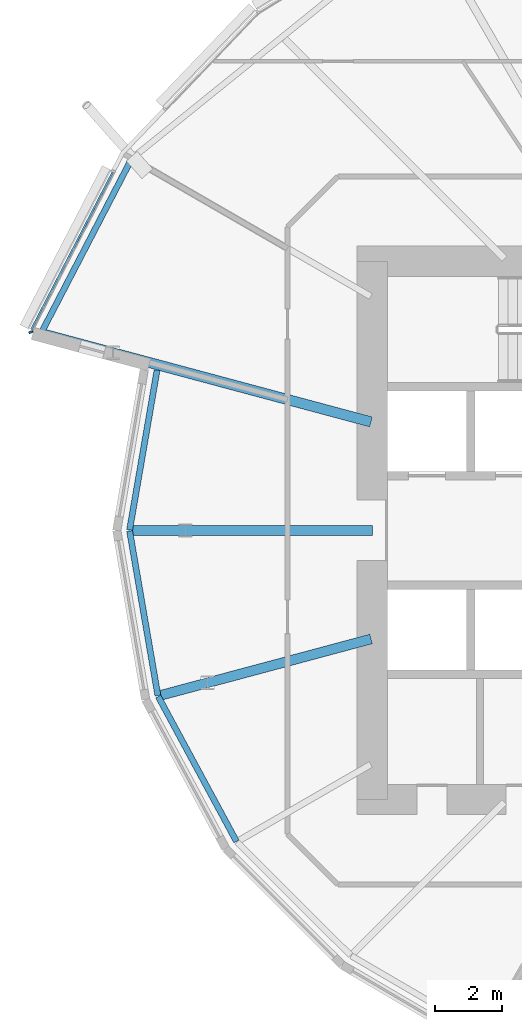
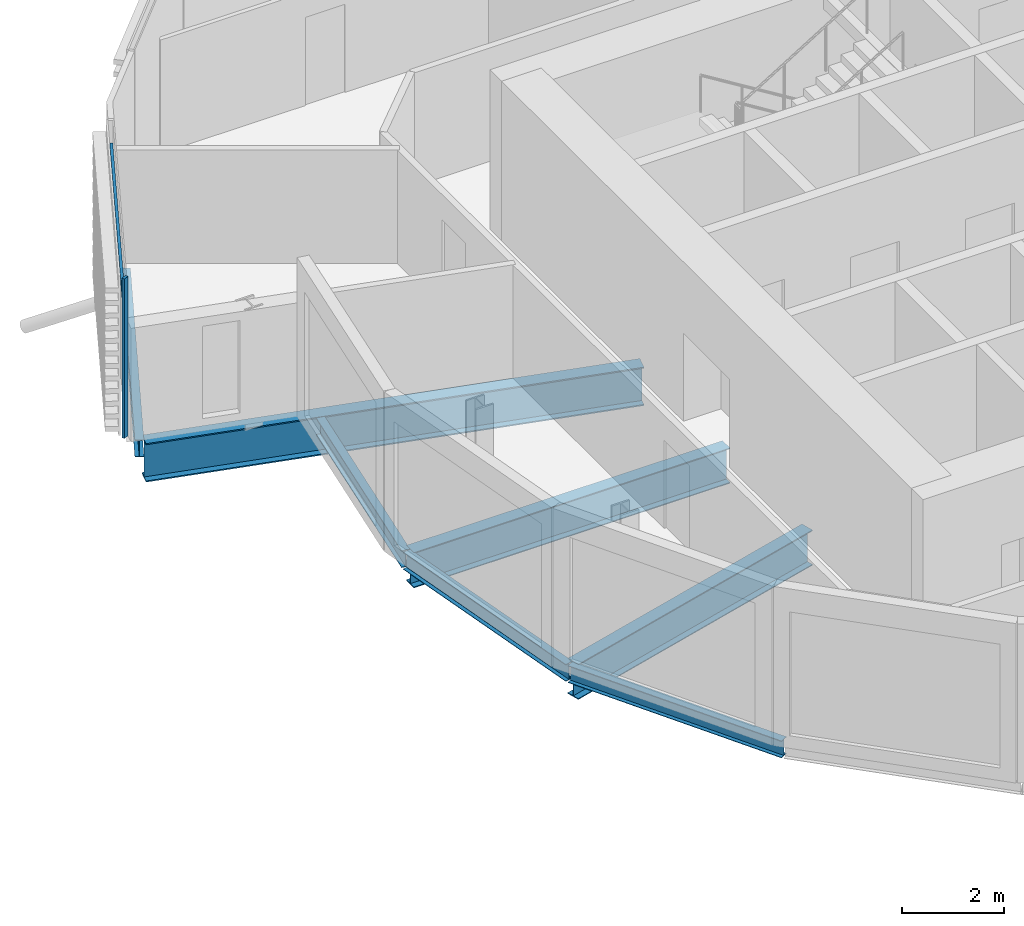
# One storey, part 5 of 38: 7 beams, 2 members, 1 element without a shape of its own.
"""IFC4 building model written with IfcOpenShell, lengths in metres."""

from ifc_helpers import new_model, si_unit, direction, frame, origin, origin_2d, place, context, subcontext, project, spatial, rectangle, i_section, extrude, material, material_profile, profile_set, type_object, element, aggregate, save


model = new_model("IFC4")

# Units and contexts
model_context = context("Model", 3, precision=1e-05, world=origin(), true_north=direction((0.0, 1.0)))
body_context = subcontext(model_context, "Body", "Model", "MODEL_VIEW")
ifc_project = project(units=[si_unit("LENGTHUNIT", "METRE"), si_unit("AREAUNIT", "SQUARE_METRE"), si_unit("VOLUMEUNIT", "CUBIC_METRE"), si_unit("PLANEANGLEUNIT", "RADIAN"), si_unit("MASSUNIT", "GRAM", prefix="KILO")], contexts=[model_context])

# Site, building, storey
site_placement = place(None, origin())
site = spatial("IfcSite", under=ifc_project, at=site_placement, CompositionType="ELEMENT")
building_placement = place(site_placement, origin())
building = spatial("IfcBuilding", under=site, at=building_placement, Name="Rimbun Link Towers", CompositionType="ELEMENT")
storey_placement = place(building_placement, frame((0.0, 0.0, 56.60009765625)))
storey = spatial("IfcBuildingStorey", under=building, at=storey_placement, Name="L13", CompositionType="ELEMENT", Elevation=56.60009765625)

# Curtain wall, members
ifc_material_1 = material(Name="Aluminium 6063-T6 and low-iron glass", Category="aluminium")
curtain_wall_type = type_object("IfcCurtainWallType", Name="CW1 unitised vision wall", PredefinedType="NOTDEFINED", material=ifc_material_1)
curtain_wall_placement = place(storey_placement, origin())
curtain_wall = element("IfcCurtainWall", 1, at=curtain_wall_placement, inside=storey, type_object=curtain_wall_type, Name="CW1 L13 T1", PredefinedType="NOTDEFINED")
ifc_material_2 = material(Name="Aluminium 6063-T6", Category="aluminium")
ifc_material_profile_1 = material_profile(ifc_material_2, rectangle(XDim=0.1201171875, YDim=0.06005859375, at=origin_2d()), Name="MULLION 60X120")
ifc_profile_set_1 = profile_set([ifc_material_profile_1], Name="Aluminium 6063-T6")
member_type_1 = type_object("IfcMemberType", Name="CW1 mullion 60X120", PredefinedType="MULLION", material=ifc_profile_set_1)
member_1_placement = place(storey_placement, frame((-53.902099609375, 5.896728515625, 0.0), z_axis=(0.0, 0.0, 1.0), x_axis=(-0.914813149128, -0.403877335565, 0.0)))
member_1 = element("IfcMember", 2, at=member_1_placement, type_object=member_type_1, Name="CW1 mullion", PredefinedType="MULLION", context=body_context, shape_type="SweptSolid", body=[
    extrude(rectangle(XDim=0.1201171875, YDim=0.06005859375, at=origin_2d()), origin(), (0.0, 0.0, 1.0), 3.7998046875),
])
ifc_material_3 = material(Name="Aluminium 6063-T6", Category="aluminium")
ifc_material_profile_2 = material_profile(ifc_material_3, rectangle(XDim=0.06005859375, YDim=0.1201171875, at=origin_2d()), Name="TRANSOM 60X120")
ifc_profile_set_2 = profile_set([ifc_material_profile_2], Name="Aluminium 6063-T6")
member_type_2 = type_object("IfcMemberType", Name="CW1 transom 60X120", PredefinedType="USERDEFINED", material=ifc_profile_set_2)
member_2_placement = place(storey_placement, frame((-53.885009765625, 5.974365234375, 3.199951171875), z_axis=(0.459537665486, 0.888158282064, 0.0), x_axis=(-0.888158282064, 0.459537665486, 0.0)))
member_2 = element("IfcMember", 3, at=member_2_placement, type_object=member_type_2, Name="CW1 transom", ObjectType="TRANSOM", PredefinedType="USERDEFINED", context=body_context, shape_type="SweptSolid", body=[
    extrude(rectangle(XDim=0.06005859375, YDim=0.1201171875, at=origin_2d()), origin(), (0.0, 0.0, 1.0), 5.26708984375),
])
aggregate(curtain_wall, [member_1, member_2])

# Beams
ifc_material_4 = material(Name="Steel S355J2", Category="steel")
ifc_material_profile_3 = material_profile(ifc_material_4, i_section(OverallWidth=0.177978515625, OverallDepth=0.406494140625, WebThickness=0.0078125, FlangeThickness=0.0126953125, at=origin_2d()), Name="UB 406x178x60")
ifc_profile_set_3 = profile_set([ifc_material_profile_3], Name="Steel S355J2")
beam_type_1 = type_object("IfcBeamType", Name="UB 406x178x60", PredefinedType="BEAM", material=ifc_profile_set_3)
beam_1_placement = place(storey_placement, frame((-50.90087890625, 11.0556640625, -0.36328125), z_axis=(-0.460647989736, -0.887582914184, 0.0), x_axis=(0.887582914184, -0.460647989736, 0.0)))
element("IfcBeam", 4, at=beam_1_placement, inside=storey, type_object=beam_type_1, Name="Edge beam T1 L13 10", PredefinedType="BEAM", context=body_context, shape_type="SweptSolid", body=[
    extrude(i_section(OverallWidth=0.177978515625, OverallDepth=0.406494140625, WebThickness=0.0078125, FlangeThickness=0.0126953125, at=origin_2d()), origin(), (0.0, 0.0, 1.0), 5.858642578125),
])
beam_2_placement = place(storey_placement, frame((-50.1494140625, 4.762451171875, -0.36328125), z_axis=(-0.169271959338, -0.985569380501, 0.0), x_axis=(0.985569380501, -0.169271959338, 0.0)))
element("IfcBeam", 5, at=beam_2_placement, inside=storey, type_object=beam_type_1, Name="Edge beam T1 L13 11 recess", PredefinedType="BEAM", context=body_context, shape_type="SweptSolid", body=[
    extrude(i_section(OverallWidth=0.177978515625, OverallDepth=0.406494140625, WebThickness=0.0078125, FlangeThickness=0.0126953125, at=origin_2d()), origin(), (0.0, 0.0, 1.0), 4.81591796875),
])
beam_3_placement = place(storey_placement, frame((-50.964599609375, -0.01611328125, -0.36328125), z_axis=(0.169271015527, -0.985569542601, 0.0), x_axis=(0.985569542601, 0.169271015527, 0.0)))
element("IfcBeam", 6, at=beam_3_placement, inside=storey, type_object=beam_type_1, Name="Edge beam T1 L13 12 recess", PredefinedType="BEAM", context=body_context, shape_type="SweptSolid", body=[
    extrude(i_section(OverallWidth=0.177978515625, OverallDepth=0.406494140625, WebThickness=0.0078125, FlangeThickness=0.0126953125, at=origin_2d()), origin(), (0.0, 0.0, 1.0), 4.962890625),
])
beam_4_placement = place(storey_placement, frame((-50.114501953125, -4.936279296875, -0.36328125), z_axis=(0.475199884623, -0.879877872011, 0.0), x_axis=(0.879877872011, 0.475199884623, 0.0)))
element("IfcBeam", 7, at=beam_4_placement, inside=storey, type_object=beam_type_1, Name="Edge beam T1 L13 13 recess", PredefinedType="BEAM", context=body_context, shape_type="SweptSolid", body=[
    extrude(i_section(OverallWidth=0.177978515625, OverallDepth=0.406494140625, WebThickness=0.0078125, FlangeThickness=0.0126953125, at=origin_2d()), origin(), (0.0, 0.0, 1.0), 4.895263671875),
])
ifc_material_5 = material(Name="Steel S355J2", Category="steel")
ifc_material_profile_4 = material_profile(ifc_material_5, i_section(OverallWidth=0.29248046875, OverallDepth=0.8408203125, WebThickness=0.0126953125, FlangeThickness=0.021728515625, at=origin_2d()), Name="UB 838x292x194")
ifc_profile_set_4 = profile_set([ifc_material_profile_4], Name="Steel S355J2")
beam_type_2 = type_object("IfcBeamType", Name="UB 838x292x194", PredefinedType="BEAM", material=ifc_profile_set_4)
beam_5_placement = place(storey_placement, frame((-43.7509765625, 0.0, -0.580322265625), z_axis=(-1.0, 0.0, 0.0), x_axis=(0.0, -1.0, 0.0)))
element("IfcBeam", 8, at=beam_5_placement, inside=storey, type_object=beam_type_2, Name="Radial beam T1 L13 12", PredefinedType="BEAM", context=body_context, shape_type="SweptSolid", body=[
    extrude(i_section(OverallWidth=0.29248046875, OverallDepth=0.8408203125, WebThickness=0.0126953125, FlangeThickness=0.021728515625, at=origin_2d()), origin(), (0.0, 0.0, 1.0), 7.12646484375),
])
beam_6_placement = place(storey_placement, frame((-43.788818359375, -3.225830078125, -0.580322265625), z_axis=(-0.965927828597, -0.258811572273, 0.0), x_axis=(0.258811572273, -0.965927828597, 0.0)))
element("IfcBeam", 9, at=beam_6_placement, inside=storey, type_object=beam_type_2, Name="Radial beam T1 L13 13", PredefinedType="BEAM", context=body_context, shape_type="SweptSolid", body=[
    extrude(i_section(OverallWidth=0.29248046875, OverallDepth=0.8408203125, WebThickness=0.0126953125, FlangeThickness=0.021728515625, at=origin_2d()), origin(), (0.0, 0.0, 1.0), 6.46630859375),
])
ifc_material_6 = material(Name="Steel S355J2", Category="steel")
ifc_material_profile_5 = material_profile(ifc_material_6, i_section(OverallWidth=0.305419921875, OverallDepth=0.91845703125, WebThickness=0.017333984375, FlangeThickness=0.02783203125, at=origin_2d()), Name="UB 914x305x253")
ifc_profile_set_5 = profile_set([ifc_material_profile_5], Name="Steel S355J2")
beam_type_3 = type_object("IfcBeamType", Name="UB 914x305x253", PredefinedType="BEAM", material=ifc_profile_set_5)
beam_7_placement = place(storey_placement, frame((-43.79052734375, 3.226318359375, -0.619384765625), z_axis=(-0.965929859648, 0.258803991931, 0.0), x_axis=(-0.258803991931, -0.965929859648, 0.0)))
element("IfcBeam", 10, at=beam_7_placement, inside=storey, type_object=beam_type_3, Name="Radial beam T1 L13 11", PredefinedType="BEAM", context=body_context, shape_type="SweptSolid", body=[
    extrude(i_section(OverallWidth=0.305419921875, OverallDepth=0.91845703125, WebThickness=0.017333984375, FlangeThickness=0.02783203125, at=origin_2d()), origin(), (0.0, 0.0, 1.0), 10.0634765625),
])

save(model, "model.ifc")
